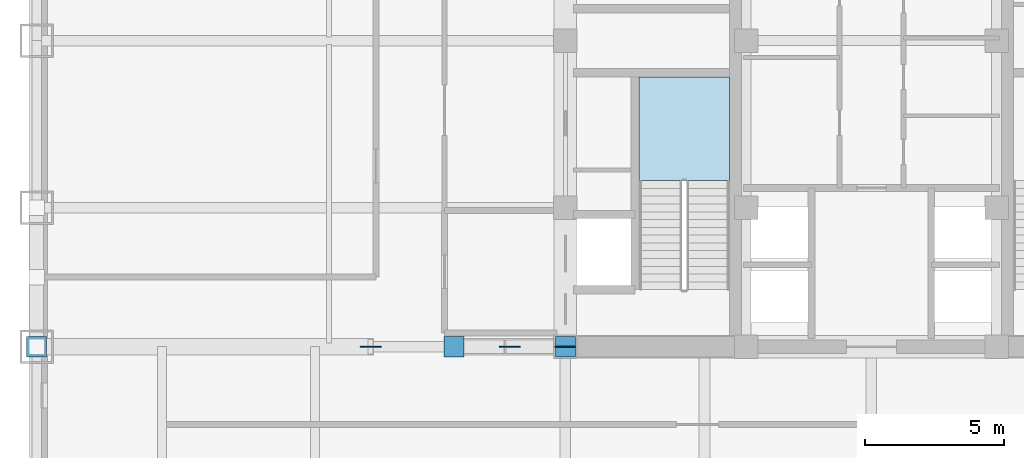
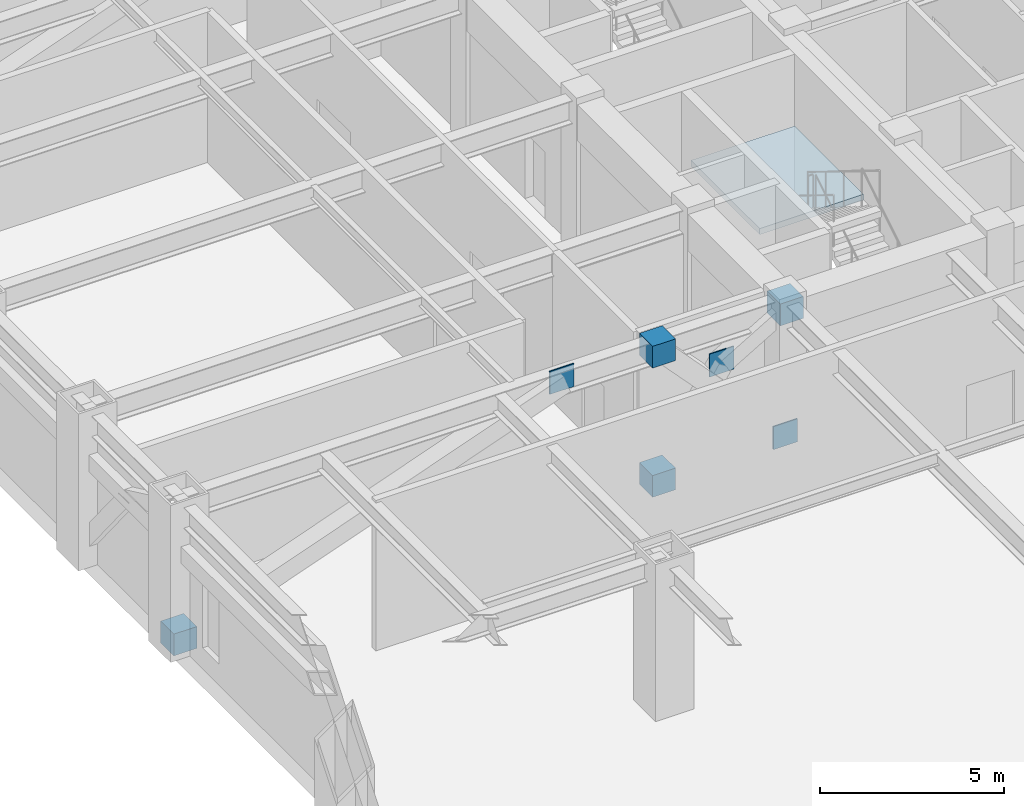
# One storey, part 3 of 12: 7 plates, 1 slab, 1 element without a shape of its own.
"""IFC4 building model written with IfcOpenShell, lengths in metres."""

import ifcopenshell
import ifcopenshell.guid

model = None  # the IFC model being written
_history = None  # IfcOwnerHistory: only IFC2X3 demands one
_inside = {}  # id of a spatial element -> (the spatial element, [elements in it])
_under = {}  # id of a project, library or spatial element -> (it, [spatial elements below it])
_declared = {}  # id of a project -> (the project, [libraries it declares])
_typed = {}  # id of a type object -> (the type object, [elements of that type])
_made_of = {}  # id of a material, layer set ... -> (it, [elements and type objects made of it])


def new_model(schema):
    """Start an empty IFC model of exactly this schema.

    Asked for "IFC4X3", IfcOpenShell would pick the latest addendum, in which some entities
    have other attributes; the version numbers below select the first issue.
    IFC2X3 requires an IfcOwnerHistory on every rooted entity: one is made here for all.
    """
    global model, _history
    if schema == "IFC4X3":
        model = ifcopenshell.file(schema_version=(4, 3, 0, 0))
    else:
        model = ifcopenshell.file(schema=schema)
    _inside.clear()
    _under.clear()
    _declared.clear()
    _typed.clear()
    _made_of.clear()
    _history = None
    if model.schema == "IFC2X3":
        org = make("IfcOrganization", Name="unknown")
        user = make(
            "IfcPersonAndOrganization",
            ThePerson=make("IfcPerson", FamilyName="unknown"),
            TheOrganization=org,
        )
        app = make(
            "IfcApplication",
            ApplicationDeveloper=org,
            Version="unknown",
            ApplicationFullName="unknown",
            ApplicationIdentifier="unknown",
        )
        _history = make(
            "IfcOwnerHistory",
            OwningUser=user,
            OwningApplication=app,
            ChangeAction="ADDED",
            CreationDate=0,
        )
    return model


def make(cls, **values):
    """One entity of the class cls with the attributes given. An attribute that is None is left unset."""
    return model.create_entity(
        cls, **{name: value for name, value in values.items() if value is not None}
    )


def rooted(cls, **values):
    """An entity with a GlobalId (a new one), such as an element, a storey or a relation."""
    return make(cls, GlobalId=ifcopenshell.guid.new(), OwnerHistory=_history, **values)


def si_unit(unit_type, name, prefix=None):
    """IfcSIUnit, for example si_unit("LENGTHUNIT", "METRE", prefix="MILLI")."""
    return make("IfcSIUnit", UnitType=unit_type, Prefix=prefix, Name=name)


def assignment(units):
    """IfcUnitAssignment: the units of a project."""
    return None if units is None else make("IfcUnitAssignment", Units=units)


def point(xyz):
    """IfcCartesianPoint."""
    return None if xyz is None else make("IfcCartesianPoint", Coordinates=xyz)


def direction(xyz):
    """IfcDirection."""
    return None if xyz is None else make("IfcDirection", DirectionRatios=xyz)


def frame(location, z_axis=None, x_axis=None):
    """IfcAxis2Placement3D, a coordinate frame: its origin and axes. An axis left out is left unset."""
    return make(
        "IfcAxis2Placement3D",
        Location=point(location),
        Axis=direction(z_axis),
        RefDirection=direction(x_axis),
    )


def frame_2d(location, x_axis=None):
    """IfcAxis2Placement2D, a coordinate frame in the plane: its origin and x axis."""
    return make(
        "IfcAxis2Placement2D", Location=point(location), RefDirection=direction(x_axis)
    )


def origin():
    """The frame at (0, 0, 0) with its axes left unset."""
    return frame((0.0, 0.0, 0.0))


def origin_2d():
    """The frame at (0, 0) in the plane with its x axis left unset."""
    return frame_2d((0.0, 0.0))


def place(relative_to, where):
    """IfcLocalPlacement: puts the frame where relative to a parent placement (None: the world)."""
    return make(
        "IfcLocalPlacement", PlacementRelTo=relative_to, RelativePlacement=where
    )


def context(
    kind, dimensions, precision=None, world=None, true_north=None, identifier=None
):
    """IfcGeometricRepresentationContext, for example the 3D "Model" context."""
    return make(
        "IfcGeometricRepresentationContext",
        ContextIdentifier=identifier,
        ContextType=kind,
        CoordinateSpaceDimension=dimensions,
        Precision=precision,
        WorldCoordinateSystem=world,
        TrueNorth=true_north,
    )


def subcontext(parent, identifier, kind, view, scale=None):
    """IfcGeometricRepresentationSubContext, for example "Body" below "Model"."""
    return make(
        "IfcGeometricRepresentationSubContext",
        ContextIdentifier=identifier,
        ContextType=kind,
        ParentContext=parent,
        TargetScale=scale,
        TargetView=view,
    )


def project(units=None, contexts=None):
    """IfcProject with its units and contexts."""
    return rooted(
        "IfcProject",
        Name="project",
        RepresentationContexts=contexts,
        UnitsInContext=assignment(units),
    )


def spatial(cls, under=None, at=None, **own):
    """A site, building, storey or space (cls), placed at a placement, below another one or the project."""
    s = rooted(cls, ObjectPlacement=at, **own)
    if under is not None:
        _under.setdefault(under.id(), (under, []))[1].append(s)
    return s


def polyline(points):
    """IfcPolyline through the points."""
    return make("IfcPolyline", Points=[point(p) for p in points])


def profile(cls, at=None, kind="AREA", **sizes):
    """A parametric profile (cls). Its sizes go by their IFC names, for example OverallWidth=200.0."""
    return make(cls, ProfileType=kind, Position=at, **sizes)


def rectangle(**sizes):
    """IfcRectangleProfileDef."""
    return profile("IfcRectangleProfileDef", **sizes)


def outline(outer, holes=None, kind="AREA"):
    """IfcArbitraryClosedProfileDef: a profile drawn as a closed curve; with holes, ...WithVoids."""
    if holes is None:
        return make("IfcArbitraryClosedProfileDef", ProfileType=kind, OuterCurve=outer)
    return make(
        "IfcArbitraryProfileDefWithVoids",
        ProfileType=kind,
        OuterCurve=outer,
        InnerCurves=holes,
    )


def extrude(swept, where, along, depth):
    """IfcExtrudedAreaSolid: the profile swept, set in the frame where, extruded along a direction by depth."""
    return make(
        "IfcExtrudedAreaSolid",
        SweptArea=swept,
        Position=where,
        ExtrudedDirection=direction(along),
        Depth=depth,
    )


def shape(context_of_items, identifier, shape_type, items):
    """IfcShapeRepresentation: the items that make up one representation, for example the "Body"."""
    return make(
        "IfcShapeRepresentation",
        ContextOfItems=context_of_items,
        RepresentationIdentifier=identifier,
        RepresentationType=shape_type,
        Items=items,
    )


def source(mapping_origin, context_of_items, identifier, shape_type, items):
    """IfcRepresentationMap: a shape defined once, which mapped items show again and again."""
    return make(
        "IfcRepresentationMap",
        MappingOrigin=mapping_origin,
        MappedRepresentation=shape(context_of_items, identifier, shape_type, items),
    )


def transform(
    local_origin,
    x_axis=None,
    y_axis=None,
    z_axis=None,
    scale=None,
    scale2=None,
    scale3=None,
    uniform=True,
):
    """IfcCartesianTransformationOperator3D, or its non-uniform kind. x_axis, y_axis, z_axis: its Axis1, 2, 3."""
    if uniform:
        return make(
            "IfcCartesianTransformationOperator3D",
            Axis1=direction(x_axis),
            Axis2=direction(y_axis),
            LocalOrigin=point(local_origin),
            Scale=scale,
            Axis3=direction(z_axis),
        )
    return make(
        "IfcCartesianTransformationOperator3DnonUniform",
        Axis1=direction(x_axis),
        Axis2=direction(y_axis),
        LocalOrigin=point(local_origin),
        Scale=scale,
        Axis3=direction(z_axis),
        Scale2=scale2,
        Scale3=scale3,
    )


def mapped(mapping_source, mapping_target):
    """IfcMappedItem: shows the shape of a source again, moved by a transform."""
    return make(
        "IfcMappedItem", MappingSource=mapping_source, MappingTarget=mapping_target
    )


def material(Name=None, Category=None):
    """IfcMaterial."""
    return make("IfcMaterial", Name=Name, Category=Category)


def layer(
    of_material, thickness, ventilated=None, Name=None, Category=None, Priority=None
):
    """IfcMaterialLayer: one layer of a wall or slab, of a material (None: an air gap)."""
    return make(
        "IfcMaterialLayer",
        Material=of_material,
        LayerThickness=thickness,
        IsVentilated=ventilated,
        Name=Name,
        Category=Category,
        Priority=Priority,
    )


def layer_set(layers, Name=None):
    """IfcMaterialLayerSet."""
    return make("IfcMaterialLayerSet", MaterialLayers=layers, LayerSetName=Name)


def made_of(thing, what):
    """Note that an element or type object is made of a material, layer set ...; save() writes the relation."""
    if what is not None:
        _made_of.setdefault(what.id(), (what, []))[1].append(thing)
    return thing


def type_object(cls, material=None, **own):
    """A type object (cls), such as IfcWallType, which elements share."""
    return made_of(rooted(cls, **own), material)


def element(
    cls,
    number,
    at=None,
    inside=None,
    cuts=None,
    type_object=None,
    material=None,
    context=None,
    identifier="Body",
    shape_type=None,
    held_by="IfcProductDefinitionShape",
    body=None,
    shapes=None,
    **own,
):
    """One element of the class cls, such as IfcWall. Its Tag is "e" and its number.

    at: its placement. inside: the storey or other place that contains it. cuts: it is an
    opening in that element (IfcRelVoidsElement). A single representation is given by context,
    identifier, shape_type and body (its items); several are given by shapes. held_by: the class
    of the entity that holds the representations. save() writes the other relations.
    """
    e = rooted(cls, Tag="e%d" % number, ObjectPlacement=at, **own)
    if body is not None:
        shapes = [shape(context, identifier, shape_type, body)]
    if shapes is not None:
        e.Representation = make(held_by, Representations=shapes)
    if inside is not None:
        _inside.setdefault(inside.id(), (inside, []))[1].append(e)
    if cuts is not None:
        rooted(
            "IfcRelVoidsElement", RelatingBuildingElement=cuts, RelatedOpeningElement=e
        )
    if type_object is not None:
        _typed.setdefault(type_object.id(), (type_object, []))[1].append(e)
    return made_of(e, material)


def aggregate(whole, parts):
    """IfcRelAggregates: a whole, such as a stair, and the parts it consists of."""
    return rooted("IfcRelAggregates", RelatingObject=whole, RelatedObjects=parts)


def save(model, path):
    """Write the relations noted so far, then the file.

    IfcRelAggregates (storeys below a building ...), IfcRelContainedInSpatialStructure (elements
    in a storey), IfcRelDefinesByType, IfcRelAssociatesMaterial and IfcRelDeclares: one each for
    every whole, place, type object, material and project.
    """
    for whole, parts in _under.values():
        aggregate(whole, parts)
    for where, things in _inside.values():
        rooted(
            "IfcRelContainedInSpatialStructure",
            RelatedElements=things,
            RelatingStructure=where,
        )
    for kind, things in _typed.values():
        rooted("IfcRelDefinesByType", RelatedObjects=things, RelatingType=kind)
    for what, things in _made_of.values():
        rooted("IfcRelAssociatesMaterial", RelatedObjects=things, RelatingMaterial=what)
    for by, libraries in _declared.values():
        rooted("IfcRelDeclares", RelatingContext=by, RelatedDefinitions=libraries)
    model.write(path)


model = new_model("IFC4")

# Units and contexts
model_context = context("Model", 3, precision=1e-05, world=origin(), true_north=direction((0.0, 1.0)))
body_context = subcontext(model_context, "Body", "Model", "MODEL_VIEW")
ifc_project = project(units=[si_unit("LENGTHUNIT", "METRE"), si_unit("AREAUNIT", "SQUARE_METRE"), si_unit("VOLUMEUNIT", "CUBIC_METRE"), si_unit("PLANEANGLEUNIT", "RADIAN"), si_unit("MASSUNIT", "GRAM", prefix="KILO")], contexts=[model_context])

# Site, building, storey
site_placement = place(None, origin())
site = spatial("IfcSite", under=ifc_project, at=site_placement, CompositionType="ELEMENT")
building_placement = place(site_placement, origin())
building = spatial("IfcBuilding", under=site, at=building_placement, Name="Khorayat Bourse Tower", CompositionType="ELEMENT")
storey_placement = place(building_placement, frame((0.0, 0.0, 149.89990234375)))
storey = spatial("IfcBuildingStorey", under=building, at=storey_placement, Name="L34", CompositionType="ELEMENT", Elevation=149.89990234375)

# Stair, slab
ifc_material_1 = material(Name="Concrete C40/50", Category="concrete")
stair_type = type_object("IfcStairType", Name="STR-CORE-1550", PredefinedType="HALF_TURN_STAIR", material=ifc_material_1)
stair_placement = place(storey_placement, origin())
stair = element("IfcStair", 1, at=stair_placement, inside=storey, type_object=stair_type, Name="L34 Exit Stair ST-1", PredefinedType="HALF_TURN_STAIR")
ifc_layer_1 = layer(ifc_material_1, 0.199951171875)
ifc_layer_set_1 = layer_set([ifc_layer_1], Name="Concrete C40/50")
slab_type = type_object("IfcSlabType", Name="SLB-LANDING-200", PredefinedType="LANDING", material=ifc_layer_set_1)
slab_placement = place(storey_placement, frame((0.0, 0.0, 2.400146484375)))
slab = element("IfcSlab", 2, at=slab_placement, type_object=slab_type, Name="ST-1 landing 1", PredefinedType="LANDING", context=body_context, shape_type="SweptSolid", body=[
    extrude(outline(polyline([(-5.10009765625, -5.030029296875), (-5.10009765625, -1.300048828125), (-8.35009765625, -1.300048828125), (-8.35009765625, -5.030029296875), (-5.10009765625, -5.030029296875)])), origin(), (0.0, 0.0, 1.0), 0.199951171875),
])
aggregate(stair, [slab])

# Plates
ifc_material_2 = material(Name="Steel EN 10025-4 S460M", Category="steel")
ifc_layer_2 = layer(ifc_material_2, 0.0400390625)
ifc_layer_set_2 = layer_set([ifc_layer_2], Name="Steel EN 10025-4 S460M")
plate_type_1 = type_object("IfcPlateType", Name="PLT-GUSSET-40", PredefinedType="USERDEFINED", material=ifc_layer_set_2)
shared_shape_1 = source(origin(), body_context, "Body", "SweptSolid", [
    extrude(rectangle(XDim=0.760009765625, YDim=0.0400390625, at=origin_2d()), origin(), (0.0, 0.0, 1.0), 0.760009765625),
])
for number, where, z_axis, x_axis, name in (
    (3, (-11.0, -11.0, -0.02978515625), (0.0, 0.0, 1.0), (1.0, 0.0, 0.0), "L34 Outrigger Node Gusset Plate 01"),
    (4, (-18.0, -11.0, 4.25), (0.0, 0.0, 1.0), (1.0, 0.0, 0.0), "L34 Outrigger Node Gusset Plate 03"),
    (5, (-13.0, -11.0, 3.0703125), (0.0, 0.0, 1.0), (1.0, 0.0, 0.0), "L34 Outrigger X-Crossing Central Gusset Plate 05"),
):
    element("IfcPlate", number, at=place(storey_placement, frame(where, z_axis=z_axis, x_axis=x_axis)), inside=storey, type_object=plate_type_1, Name=name, ObjectType="GUSSET PLATE", PredefinedType="USERDEFINED", context=body_context, shape_type="MappedRepresentation", body=[
        mapped(shared_shape_1, transform((0.0, 0.0, 0.0), scale=1.0)),
    ])
ifc_layer_3 = layer(ifc_material_2, 0.031982421875)
ifc_layer_set_3 = layer_set([ifc_layer_3], Name="Steel EN 10025-4 S460M")
plate_type_2 = type_object("IfcPlateType", Name="PLT-GUSSET-32", PredefinedType="USERDEFINED", material=ifc_layer_set_3)
shared_shape_2 = source(origin(), body_context, "Body", "SweptSolid", [
    extrude(rectangle(XDim=0.719970703125, YDim=0.719970703125, at=origin_2d()), origin(), (0.0, 0.0, 1.0), 0.719970703125),
])
for number, where, z_axis, x_axis, name in (
    (6, (-15.0, -11.0, 4.27001953125), (0.0, 0.0, 1.0), (1.0, 0.0, 0.0), "L34 Outrigger Node Gusset Plate 02"),
    (7, (-30.0, -11.0, -0.009765625), (0.0, 0.0, 1.0), (1.0, 0.0, 0.0), "L34 Outrigger Node Gusset Plate 04"),
    (8, (-11.0, -11.0, 4.27001953125), (0.0, 0.0, 1.0), (1.0, 0.0, 0.0), "L34 Belt Web Sealed Node Block 06"),
    (9, (-15.0, -11.0, -0.009765625), (0.0, 0.0, 1.0), (1.0, 0.0, 0.0), "L34 Belt Web Sealed Node Block 07"),
):
    element("IfcPlate", number, at=place(storey_placement, frame(where, z_axis=z_axis, x_axis=x_axis)), inside=storey, type_object=plate_type_2, Name=name, ObjectType="GUSSET PLATE", PredefinedType="USERDEFINED", context=body_context, shape_type="MappedRepresentation", body=[
        mapped(shared_shape_2, transform((0.0, 0.0, 0.0), scale=1.0)),
    ])

save(model, "model.ifc")
